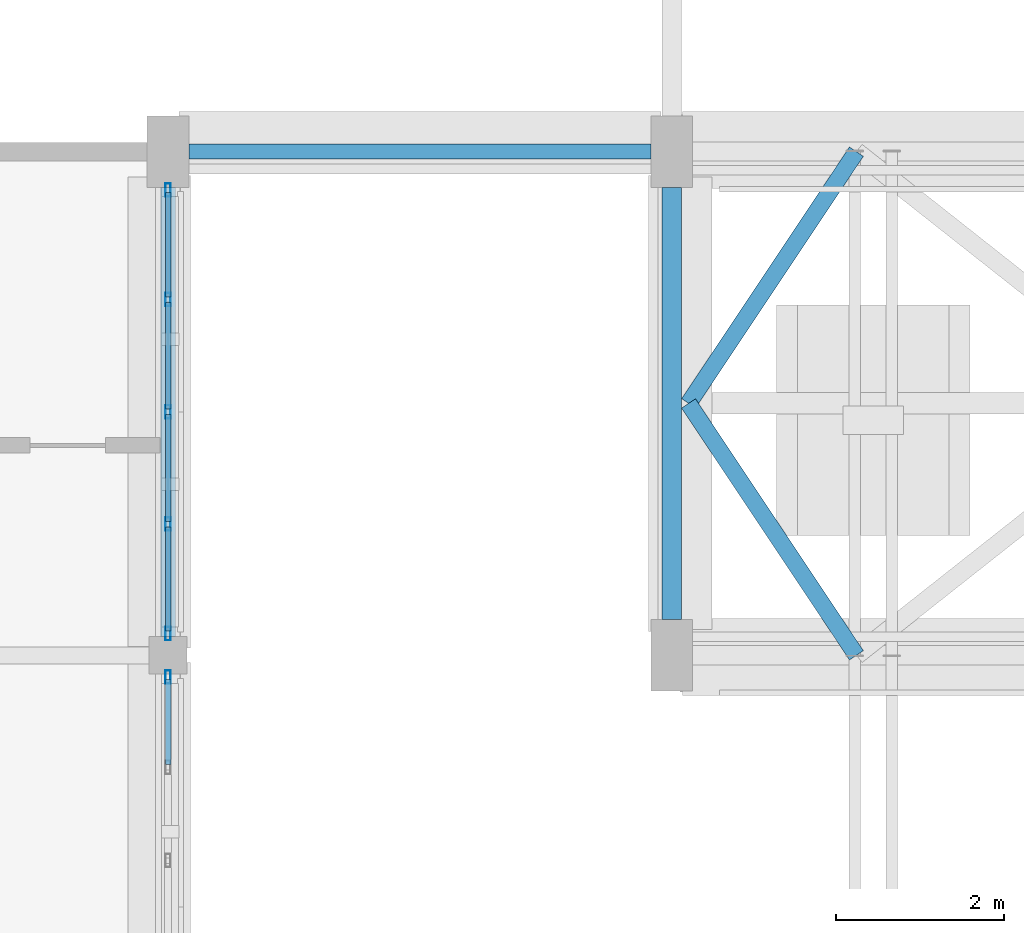
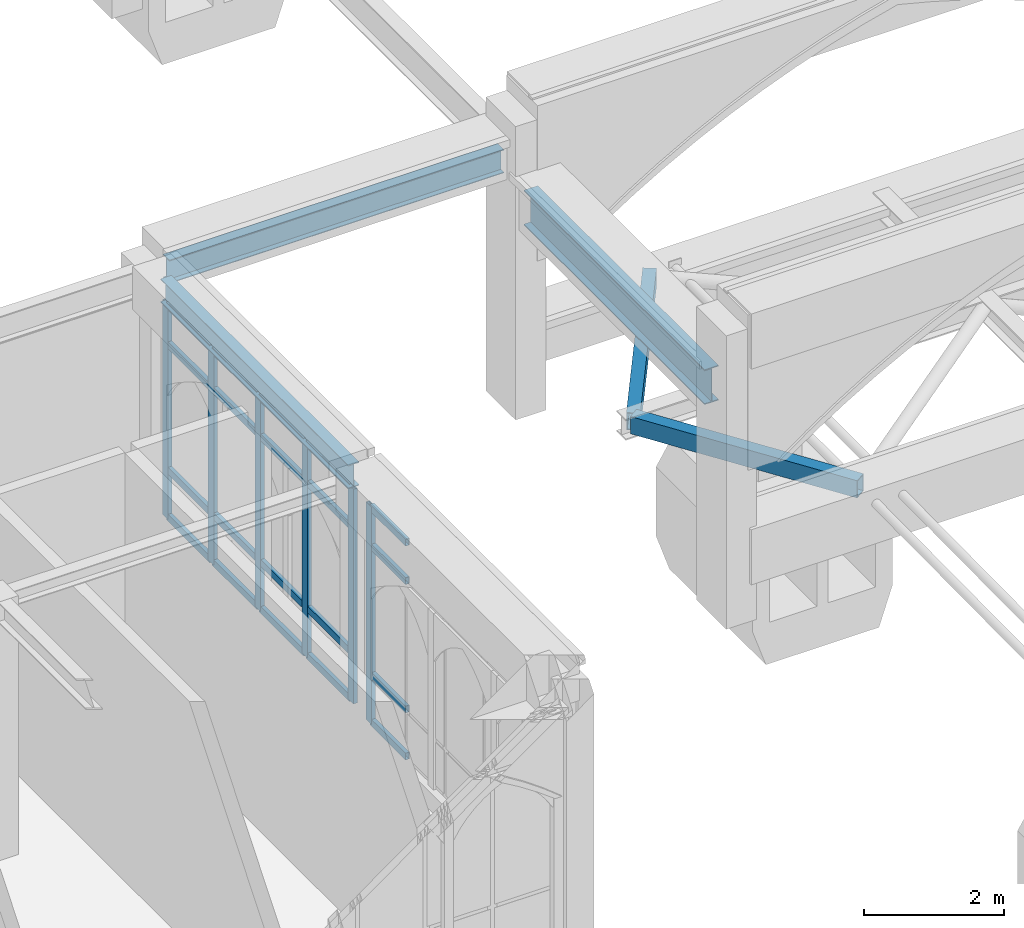
# One storey, part 23 of 59: 28 members, 3 beams, 2 elements without a shape of their own.
"""IFC4 building model written with IfcOpenShell, lengths in metres."""

from ifc_helpers import new_model, si_unit, direction, frame, origin, origin_2d, place, context, subcontext, project, spatial, hollow_rectangle, i_section, extrude, material, layer, layer_set, material_profile, profile_set, type_object, element, aggregate, save


model = new_model("IFC4")

# Units and contexts
model_context = context("Model", 3, precision=1e-05, world=origin(), true_north=direction((0.0, 1.0)))
body_context = subcontext(model_context, "Body", "Model", "MODEL_VIEW")
ifc_project = project(units=[si_unit("LENGTHUNIT", "METRE"), si_unit("AREAUNIT", "SQUARE_METRE"), si_unit("VOLUMEUNIT", "CUBIC_METRE"), si_unit("PLANEANGLEUNIT", "RADIAN"), si_unit("MASSUNIT", "GRAM", prefix="KILO")], contexts=[model_context])

# Site, building, storey
site_placement = place(None, origin())
site = spatial("IfcSite", under=ifc_project, at=site_placement, CompositionType="ELEMENT")
building_placement = place(site_placement, origin())
building = spatial("IfcBuilding", under=site, at=building_placement, Name="Cumevento Cable Car Station", CompositionType="ELEMENT")
storey_placement = place(building_placement, frame((0.0, 0.0, 18.0)))
storey = spatial("IfcBuildingStorey", under=building, at=storey_placement, Name="L05", CompositionType="ELEMENT", Elevation=18.0)

# Curtain wall, member
ifc_material_1 = material(Name="Anodised Bronze Aluminium AW-6063-T6", Category="aluminium")
ifc_layer_1 = layer(ifc_material_1, 0.177978515625)
ifc_layer_set_1 = layer_set([ifc_layer_1], Name="Anodised Bronze Aluminium AW-6063-T6")
curtain_wall_type_1 = type_object("IfcCurtainWallType", Name="Lancet Curtain Wall CW-04 1170", PredefinedType="NOTDEFINED", material=ifc_layer_set_1)
curtain_wall_1_placement = place(storey_placement, origin())
curtain_wall_1 = element("IfcCurtainWall", 1, at=curtain_wall_1_placement, inside=storey, type_object=curtain_wall_type_1, Name="Lancet Curtain Wall CW-04 L05 #195", PredefinedType="NOTDEFINED")
ifc_material_2 = material(Name="Anodised Bronze Aluminium AW-6063-T6", Category="aluminium")
ifc_material_profile_1 = material_profile(ifc_material_2, hollow_rectangle(XDim=0.06494140625, YDim=0.159912109375, WallThickness=0.00390625, at=origin_2d()), Name="ALUM65x160x4")
ifc_profile_set_1 = profile_set([ifc_material_profile_1], Name="Anodised Bronze Aluminium AW-6063-T6")
member_type_1 = type_object("IfcMemberType", Name="Curtain Mullion CWM-01 ALUM65x160x4", PredefinedType="MULLION", material=ifc_profile_set_1)
member_1_placement = place(storey_placement, frame((82.0, 38.742431640625, 0.31005859375), z_axis=(0.0, 0.0, 1.0), x_axis=(1.0, 0.0, 0.0)))
member_1 = element("IfcMember", 2, at=member_1_placement, type_object=member_type_1, Name="CW-04 mullion 1", PredefinedType="MULLION", context=body_context, shape_type="SweptSolid", body=[
    extrude(hollow_rectangle(XDim=0.06494140625, YDim=0.159912109375, WallThickness=0.00390625, at=origin_2d()), origin(), (0.0, 0.0, 1.0), 3.782958984375),
])

# Curtain wall, members
ifc_material_3 = material(Name="Anodised Bronze Aluminium AW-6063-T6", Category="aluminium")
ifc_layer_2 = layer(ifc_material_3, 0.18408203125)
ifc_layer_set_2 = layer_set([ifc_layer_2], Name="Anodised Bronze Aluminium AW-6063-T6")
curtain_wall_type_2 = type_object("IfcCurtainWallType", Name="Lancet Curtain Wall CW-05 1210", PredefinedType="NOTDEFINED", material=ifc_layer_set_2)
curtain_wall_2_placement = place(storey_placement, origin())
curtain_wall_2 = element("IfcCurtainWall", 3, at=curtain_wall_2_placement, inside=storey, type_object=curtain_wall_type_2, Name="Lancet Curtain Wall CW-05 L05 #196", PredefinedType="NOTDEFINED")
member_2_placement = place(storey_placement, frame((82.0, 44.54248046875, 0.360107421875), z_axis=(0.0, 0.0, 1.0), x_axis=(1.0, 0.0, 0.0)))
member_2 = element("IfcMember", 4, at=member_2_placement, type_object=member_type_1, Name="CW-05 mullion 1", PredefinedType="MULLION", context=body_context, shape_type="SweptSolid", body=[
    extrude(hollow_rectangle(XDim=0.06494140625, YDim=0.159912109375, WallThickness=0.00390625, at=origin_2d()), origin(), (0.0, 0.0, 1.0), 3.73291015625),
])
member_3_placement = place(storey_placement, frame((82.0, 43.237548828125, 0.360107421875), z_axis=(0.0, 0.0, 1.0), x_axis=(1.0, 0.0, 0.0)))
member_3 = element("IfcMember", 5, at=member_3_placement, type_object=member_type_1, Name="CW-05 mullion 2", PredefinedType="MULLION", context=body_context, shape_type="SweptSolid", body=[
    extrude(hollow_rectangle(XDim=0.06494140625, YDim=0.159912109375, WallThickness=0.00390625, at=origin_2d()), origin(), (0.0, 0.0, 1.0), 3.73291015625),
])
member_4_placement = place(storey_placement, frame((82.0, 41.89990234375, 0.360107421875), z_axis=(0.0, 0.0, 1.0), x_axis=(1.0, 0.0, 0.0)))
member_4 = element("IfcMember", 6, at=member_4_placement, type_object=member_type_1, Name="CW-05 mullion 3", PredefinedType="MULLION", context=body_context, shape_type="SweptSolid", body=[
    extrude(hollow_rectangle(XDim=0.06494140625, YDim=0.159912109375, WallThickness=0.00390625, at=origin_2d()), origin(), (0.0, 0.0, 1.0), 3.73291015625),
])
member_5_placement = place(storey_placement, frame((82.0, 40.5625, 0.360107421875), z_axis=(0.0, 0.0, 1.0), x_axis=(1.0, 0.0, 0.0)))
member_5 = element("IfcMember", 7, at=member_5_placement, type_object=member_type_1, Name="CW-05 mullion 4", PredefinedType="MULLION", context=body_context, shape_type="SweptSolid", body=[
    extrude(hollow_rectangle(XDim=0.06494140625, YDim=0.159912109375, WallThickness=0.00390625, at=origin_2d()), origin(), (0.0, 0.0, 1.0), 3.73291015625),
])
member_6_placement = place(storey_placement, frame((82.0, 39.257568359375, 0.360107421875), z_axis=(0.0, 0.0, 1.0), x_axis=(1.0, 0.0, 0.0)))
member_6 = element("IfcMember", 8, at=member_6_placement, type_object=member_type_1, Name="CW-05 mullion 5", PredefinedType="MULLION", context=body_context, shape_type="SweptSolid", body=[
    extrude(hollow_rectangle(XDim=0.06494140625, YDim=0.159912109375, WallThickness=0.00390625, at=origin_2d()), origin(), (0.0, 0.0, 1.0), 3.73291015625),
])

# Member
ifc_material_4 = material(Name="Anodised Bronze Aluminium AW-6063-T6", Category="aluminium")
ifc_material_profile_2 = material_profile(ifc_material_4, hollow_rectangle(XDim=0.06494140625, YDim=0.1201171875, WallThickness=0.00390625, at=origin_2d()), Name="ALUT65x120x4")
ifc_profile_set_2 = profile_set([ifc_material_profile_2], Name="Anodised Bronze Aluminium AW-6063-T6")
member_type_2 = type_object("IfcMemberType", Name="Curtain Transom CWT-01 ALUT65x120x4", PredefinedType="USERDEFINED", material=ifc_profile_set_2)
member_7_placement = place(storey_placement, frame((82.0, 38.7099609375, 0.342529296875), z_axis=(0.0, -1.0, 0.0), x_axis=(1.0, 0.0, 0.0)))
member_7 = element("IfcMember", 9, at=member_7_placement, type_object=member_type_2, Name="CW-04 transom 1.1", ObjectType="TRANSOM", PredefinedType="USERDEFINED", context=body_context, shape_type="SweptSolid", body=[
    extrude(hollow_rectangle(XDim=0.06494140625, YDim=0.1201171875, WallThickness=0.00390625, at=origin_2d()), origin(), (0.0, 0.0, 1.0), 1.012451171875),
])

member_8_placement = place(storey_placement, frame((82.0, 38.7099609375, 1.159912109375), z_axis=(0.0, -1.0, 0.0), x_axis=(1.0, 0.0, 0.0)))
member_8 = element("IfcMember", 10, at=member_8_placement, type_object=member_type_2, Name="CW-04 transom 1.2", ObjectType="TRANSOM", PredefinedType="USERDEFINED", context=body_context, shape_type="SweptSolid", body=[
    extrude(hollow_rectangle(XDim=0.06494140625, YDim=0.1201171875, WallThickness=0.00390625, at=origin_2d()), origin(), (0.0, 0.0, 1.0), 1.012451171875),
])

member_9_placement = place(storey_placement, frame((82.0, 38.7099609375, 3.39306640625), z_axis=(0.0, -1.0, 0.0), x_axis=(1.0, 0.0, 0.0)))
member_9 = element("IfcMember", 11, at=member_9_placement, type_object=member_type_2, Name="CW-04 transom 1.3", ObjectType="TRANSOM", PredefinedType="USERDEFINED", context=body_context, shape_type="SweptSolid", body=[
    extrude(hollow_rectangle(XDim=0.06494140625, YDim=0.1201171875, WallThickness=0.00390625, at=origin_2d()), origin(), (0.0, 0.0, 1.0), 1.012451171875),
])

member_10_placement = place(storey_placement, frame((82.0, 38.7099609375, 4.060546875), z_axis=(0.0, -1.0, 0.0), x_axis=(1.0, 0.0, 0.0)))
member_10 = element("IfcMember", 12, at=member_10_placement, type_object=member_type_2, Name="CW-04 transom 1.4", ObjectType="TRANSOM", PredefinedType="USERDEFINED", context=body_context, shape_type="SweptSolid", body=[
    extrude(hollow_rectangle(XDim=0.06494140625, YDim=0.1201171875, WallThickness=0.00390625, at=origin_2d()), origin(), (0.0, 0.0, 1.0), 1.012451171875),
])

aggregate(curtain_wall_1, [member_1, member_7, member_8, member_9, member_10])

member_11_placement = place(storey_placement, frame((82.0, 44.510009765625, 0.392578125), z_axis=(0.0, -1.0, 0.0), x_axis=(1.0, 0.0, 0.0)))
member_11 = element("IfcMember", 13, at=member_11_placement, type_object=member_type_2, Name="CW-05 transom 1.1", ObjectType="TRANSOM", PredefinedType="USERDEFINED", context=body_context, shape_type="SweptSolid", body=[
    extrude(hollow_rectangle(XDim=0.06494140625, YDim=0.1201171875, WallThickness=0.00390625, at=origin_2d()), origin(), (0.0, 0.0, 1.0), 1.239990234375),
])

member_12_placement = place(storey_placement, frame((82.0, 44.510009765625, 1.2099609375), z_axis=(0.0, -1.0, 0.0), x_axis=(1.0, 0.0, 0.0)))
member_12 = element("IfcMember", 14, at=member_12_placement, type_object=member_type_2, Name="CW-05 transom 1.2", ObjectType="TRANSOM", PredefinedType="USERDEFINED", context=body_context, shape_type="SweptSolid", body=[
    extrude(hollow_rectangle(XDim=0.06494140625, YDim=0.1201171875, WallThickness=0.00390625, at=origin_2d()), origin(), (0.0, 0.0, 1.0), 1.239990234375),
])

member_13_placement = place(storey_placement, frame((82.0, 44.510009765625, 3.39306640625), z_axis=(0.0, -1.0, 0.0), x_axis=(1.0, 0.0, 0.0)))
member_13 = element("IfcMember", 15, at=member_13_placement, type_object=member_type_2, Name="CW-05 transom 1.3", ObjectType="TRANSOM", PredefinedType="USERDEFINED", context=body_context, shape_type="SweptSolid", body=[
    extrude(hollow_rectangle(XDim=0.06494140625, YDim=0.1201171875, WallThickness=0.00390625, at=origin_2d()), origin(), (0.0, 0.0, 1.0), 1.239990234375),
])

member_14_placement = place(storey_placement, frame((82.0, 44.510009765625, 4.060546875), z_axis=(0.0, -1.0, 0.0), x_axis=(1.0, 0.0, 0.0)))
member_14 = element("IfcMember", 16, at=member_14_placement, type_object=member_type_2, Name="CW-05 transom 1.4", ObjectType="TRANSOM", PredefinedType="USERDEFINED", context=body_context, shape_type="SweptSolid", body=[
    extrude(hollow_rectangle(XDim=0.06494140625, YDim=0.1201171875, WallThickness=0.00390625, at=origin_2d()), origin(), (0.0, 0.0, 1.0), 1.239990234375),
])

member_15_placement = place(storey_placement, frame((82.0, 43.205078125, 0.392578125), z_axis=(0.0, -1.0, 0.0), x_axis=(1.0, 0.0, 0.0)))
member_15 = element("IfcMember", 17, at=member_15_placement, type_object=member_type_2, Name="CW-05 transom 2.1", ObjectType="TRANSOM", PredefinedType="USERDEFINED", context=body_context, shape_type="SweptSolid", body=[
    extrude(hollow_rectangle(XDim=0.06494140625, YDim=0.1201171875, WallThickness=0.00390625, at=origin_2d()), origin(), (0.0, 0.0, 1.0), 1.2724609375),
])

member_16_placement = place(storey_placement, frame((82.0, 43.205078125, 1.2099609375), z_axis=(0.0, -1.0, 0.0), x_axis=(1.0, 0.0, 0.0)))
member_16 = element("IfcMember", 18, at=member_16_placement, type_object=member_type_2, Name="CW-05 transom 2.2", ObjectType="TRANSOM", PredefinedType="USERDEFINED", context=body_context, shape_type="SweptSolid", body=[
    extrude(hollow_rectangle(XDim=0.06494140625, YDim=0.1201171875, WallThickness=0.00390625, at=origin_2d()), origin(), (0.0, 0.0, 1.0), 1.2724609375),
])

member_17_placement = place(storey_placement, frame((82.0, 43.205078125, 3.39306640625), z_axis=(0.0, -1.0, 0.0), x_axis=(1.0, 0.0, 0.0)))
member_17 = element("IfcMember", 19, at=member_17_placement, type_object=member_type_2, Name="CW-05 transom 2.3", ObjectType="TRANSOM", PredefinedType="USERDEFINED", context=body_context, shape_type="SweptSolid", body=[
    extrude(hollow_rectangle(XDim=0.06494140625, YDim=0.1201171875, WallThickness=0.00390625, at=origin_2d()), origin(), (0.0, 0.0, 1.0), 1.2724609375),
])

member_18_placement = place(storey_placement, frame((82.0, 43.205078125, 4.060546875), z_axis=(0.0, -1.0, 0.0), x_axis=(1.0, 0.0, 0.0)))
member_18 = element("IfcMember", 20, at=member_18_placement, type_object=member_type_2, Name="CW-05 transom 2.4", ObjectType="TRANSOM", PredefinedType="USERDEFINED", context=body_context, shape_type="SweptSolid", body=[
    extrude(hollow_rectangle(XDim=0.06494140625, YDim=0.1201171875, WallThickness=0.00390625, at=origin_2d()), origin(), (0.0, 0.0, 1.0), 1.2724609375),
])

member_19_placement = place(storey_placement, frame((82.0, 41.867431640625, 0.392578125), z_axis=(0.0, -1.0, 0.0), x_axis=(1.0, 0.0, 0.0)))
member_19 = element("IfcMember", 21, at=member_19_placement, type_object=member_type_2, Name="CW-05 transom 3.1", ObjectType="TRANSOM", PredefinedType="USERDEFINED", context=body_context, shape_type="SweptSolid", body=[
    extrude(hollow_rectangle(XDim=0.06494140625, YDim=0.1201171875, WallThickness=0.00390625, at=origin_2d()), origin(), (0.0, 0.0, 1.0), 1.2724609375),
])

member_20_placement = place(storey_placement, frame((82.0, 41.867431640625, 1.2099609375), z_axis=(0.0, -1.0, 0.0), x_axis=(1.0, 0.0, 0.0)))
member_20 = element("IfcMember", 22, at=member_20_placement, type_object=member_type_2, Name="CW-05 transom 3.2", ObjectType="TRANSOM", PredefinedType="USERDEFINED", context=body_context, shape_type="SweptSolid", body=[
    extrude(hollow_rectangle(XDim=0.06494140625, YDim=0.1201171875, WallThickness=0.00390625, at=origin_2d()), origin(), (0.0, 0.0, 1.0), 1.2724609375),
])

member_21_placement = place(storey_placement, frame((82.0, 41.867431640625, 3.39306640625), z_axis=(0.0, -1.0, 0.0), x_axis=(1.0, 0.0, 0.0)))
member_21 = element("IfcMember", 23, at=member_21_placement, type_object=member_type_2, Name="CW-05 transom 3.3", ObjectType="TRANSOM", PredefinedType="USERDEFINED", context=body_context, shape_type="SweptSolid", body=[
    extrude(hollow_rectangle(XDim=0.06494140625, YDim=0.1201171875, WallThickness=0.00390625, at=origin_2d()), origin(), (0.0, 0.0, 1.0), 1.2724609375),
])

member_22_placement = place(storey_placement, frame((82.0, 41.867431640625, 4.060546875), z_axis=(0.0, -1.0, 0.0), x_axis=(1.0, 0.0, 0.0)))
member_22 = element("IfcMember", 24, at=member_22_placement, type_object=member_type_2, Name="CW-05 transom 3.4", ObjectType="TRANSOM", PredefinedType="USERDEFINED", context=body_context, shape_type="SweptSolid", body=[
    extrude(hollow_rectangle(XDim=0.06494140625, YDim=0.1201171875, WallThickness=0.00390625, at=origin_2d()), origin(), (0.0, 0.0, 1.0), 1.2724609375),
])

member_23_placement = place(storey_placement, frame((82.0, 40.530029296875, 0.392578125), z_axis=(0.0, -1.0, 0.0), x_axis=(1.0, 0.0, 0.0)))
member_23 = element("IfcMember", 25, at=member_23_placement, type_object=member_type_2, Name="CW-05 transom 4.1", ObjectType="TRANSOM", PredefinedType="USERDEFINED", context=body_context, shape_type="SweptSolid", body=[
    extrude(hollow_rectangle(XDim=0.06494140625, YDim=0.1201171875, WallThickness=0.00390625, at=origin_2d()), origin(), (0.0, 0.0, 1.0), 1.239990234375),
])

member_24_placement = place(storey_placement, frame((82.0, 40.530029296875, 1.2099609375), z_axis=(0.0, -1.0, 0.0), x_axis=(1.0, 0.0, 0.0)))
member_24 = element("IfcMember", 26, at=member_24_placement, type_object=member_type_2, Name="CW-05 transom 4.2", ObjectType="TRANSOM", PredefinedType="USERDEFINED", context=body_context, shape_type="SweptSolid", body=[
    extrude(hollow_rectangle(XDim=0.06494140625, YDim=0.1201171875, WallThickness=0.00390625, at=origin_2d()), origin(), (0.0, 0.0, 1.0), 1.239990234375),
])

member_25_placement = place(storey_placement, frame((82.0, 40.530029296875, 3.39306640625), z_axis=(0.0, -1.0, 0.0), x_axis=(1.0, 0.0, 0.0)))
member_25 = element("IfcMember", 27, at=member_25_placement, type_object=member_type_2, Name="CW-05 transom 4.3", ObjectType="TRANSOM", PredefinedType="USERDEFINED", context=body_context, shape_type="SweptSolid", body=[
    extrude(hollow_rectangle(XDim=0.06494140625, YDim=0.1201171875, WallThickness=0.00390625, at=origin_2d()), origin(), (0.0, 0.0, 1.0), 1.239990234375),
])

member_26_placement = place(storey_placement, frame((82.0, 40.530029296875, 4.060546875), z_axis=(0.0, -1.0, 0.0), x_axis=(1.0, 0.0, 0.0)))
member_26 = element("IfcMember", 28, at=member_26_placement, type_object=member_type_2, Name="CW-05 transom 4.4", ObjectType="TRANSOM", PredefinedType="USERDEFINED", context=body_context, shape_type="SweptSolid", body=[
    extrude(hollow_rectangle(XDim=0.06494140625, YDim=0.1201171875, WallThickness=0.00390625, at=origin_2d()), origin(), (0.0, 0.0, 1.0), 1.239990234375),
])

aggregate(curtain_wall_2, [member_2, member_3, member_4, member_5, member_6, member_11, member_12, member_13, member_14, member_15, member_16, member_17, member_18, member_19, member_20, member_21, member_22, member_23, member_24, member_25, member_26])

# Members
ifc_material_5 = material(Name="Steel ASTM A572 Grade 50", Category="steel")
ifc_material_profile_3 = material_profile(ifc_material_5, hollow_rectangle(XDim=0.199951171875, YDim=0.300048828125, WallThickness=0.012451171875, at=origin_2d()), Name="HSS300x200x12.5")
ifc_profile_set_3 = profile_set([ifc_material_profile_3], Name="Steel ASTM A572 Grade 50")
member_type_3 = type_object("IfcMemberType", Name="Framing Chord TC-04 HSS300x200x12.5", PredefinedType="CHORD", material=ifc_profile_set_3)
for number, where, z_axis, x_axis, name in (
    (29, (90.199951171875, 39.0, 1.3798828125), (-0.554700196225, 0.832050294338, 0.0), (-0.832050294338, -0.554700196225, 0.0), "South Downhill Foothill Ropeway Cabin Portal Bullwheel Rim Segment #490"),
    (30, (88.199951171875, 42.0, 1.3798828125), (0.554700196225, 0.832050294338, 0.0), (-0.832050294338, 0.554700196225, 0.0), "South Downhill Foothill Ropeway Cabin Portal Bullwheel Rim Segment #492"),
):
    element("IfcMember", number, at=place(storey_placement, frame(where, z_axis=z_axis, x_axis=x_axis)), inside=storey, type_object=member_type_3, Name=name, PredefinedType="CHORD", context=body_context, shape_type="SweptSolid", body=[
        extrude(hollow_rectangle(XDim=0.199951171875, YDim=0.300048828125, WallThickness=0.012451171875, at=origin_2d()), origin(), (0.0, 0.0, 1.0), 3.60546875),
    ])

# Beams
ifc_material_6 = material(Name="Steel ASTM A572 Grade 50", Category="steel")
ifc_material_profile_4 = material_profile(ifc_material_6, i_section(OverallWidth=0.22802734375, OverallDepth=0.60791015625, WebThickness=0.01123046875, FlangeThickness=0.017333984375, at=origin_2d()), Name="W610x113.0")
ifc_profile_set_4 = profile_set([ifc_material_profile_4], Name="Steel ASTM A572 Grade 50")
beam_type_1 = type_object("IfcBeamType", Name="Structural Beam BM-02 W610x113.0", PredefinedType="BEAM", material=ifc_profile_set_4)
beam_1_placement = place(storey_placement, frame((88.0, 39.425048828125, 3.64599609375), z_axis=(0.0, 1.0, 0.0), x_axis=(-1.0, 0.0, 0.0)))
element("IfcBeam", 31, at=beam_1_placement, inside=storey, type_object=beam_type_1, Name="South Downhill Foothill Ropeway Cabin Portal Buttress Tie Girder L05 #97", PredefinedType="BEAM", context=body_context, shape_type="SweptSolid", body=[
    extrude(i_section(OverallWidth=0.22802734375, OverallDepth=0.60791015625, WebThickness=0.01123046875, FlangeThickness=0.017333984375, at=origin_2d()), origin(), (0.0, 0.0, 1.0), 5.14990234375),
])
ifc_material_7 = material(Name="Steel ASTM A572 Grade 50", Category="steel")
ifc_material_profile_5 = material_profile(ifc_material_7, i_section(OverallWidth=0.177978515625, OverallDepth=0.406982421875, WebThickness=0.0078125, FlangeThickness=0.0126953125, at=origin_2d()), Name="W410x60.0")
ifc_profile_set_5 = profile_set([ifc_material_profile_5], Name="Steel ASTM A572 Grade 50")
beam_type_2 = type_object("IfcBeamType", Name="Structural Spandrel SP-01 W410x60.0", PredefinedType="SPANDREL", material=ifc_profile_set_5)
beam_2_placement = place(storey_placement, frame((82.0, 39.22509765625, 4.29638671875), z_axis=(0.0, 1.0, 0.0), x_axis=(-1.0, 0.0, 0.0)))
element("IfcBeam", 32, at=beam_2_placement, inside=storey, type_object=beam_type_2, Name="Beam SP-01 L05 #1572", PredefinedType="SPANDREL", context=body_context, shape_type="SweptSolid", body=[
    extrude(i_section(OverallWidth=0.177978515625, OverallDepth=0.406982421875, WebThickness=0.0078125, FlangeThickness=0.0126953125, at=origin_2d()), origin(), (0.0, 0.0, 1.0), 5.349853515625),
])
beam_3_placement = place(storey_placement, frame((82.25, 45.0, 4.29638671875), z_axis=(1.0, 0.0, 0.0), x_axis=(0.0, 1.0, 0.0)))
element("IfcBeam", 33, at=beam_3_placement, inside=storey, type_object=beam_type_2, Name="Beam SP-01 L05 #1617", PredefinedType="SPANDREL", context=body_context, shape_type="SweptSolid", body=[
    extrude(i_section(OverallWidth=0.177978515625, OverallDepth=0.406982421875, WebThickness=0.0078125, FlangeThickness=0.0126953125, at=origin_2d()), origin(), (0.0, 0.0, 1.0), 5.5),
])

save(model, "model.ifc")
